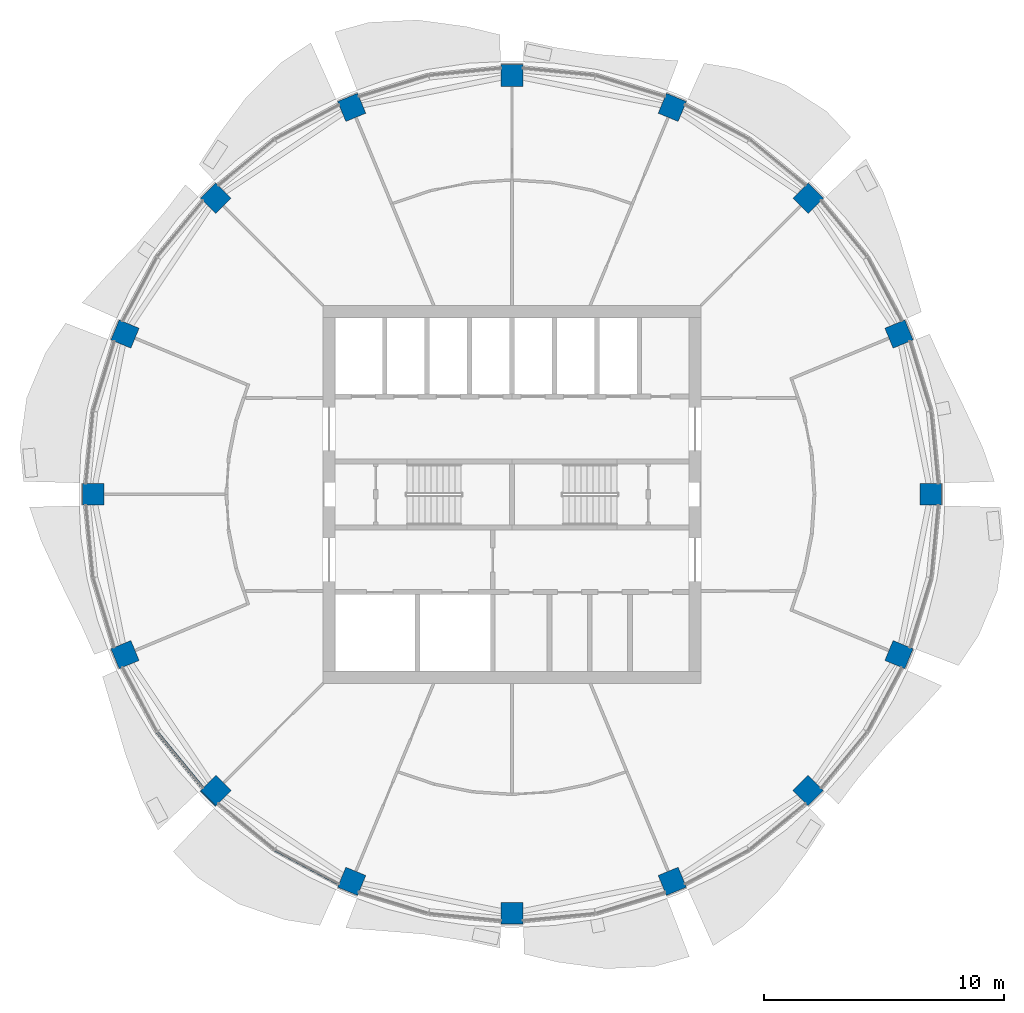
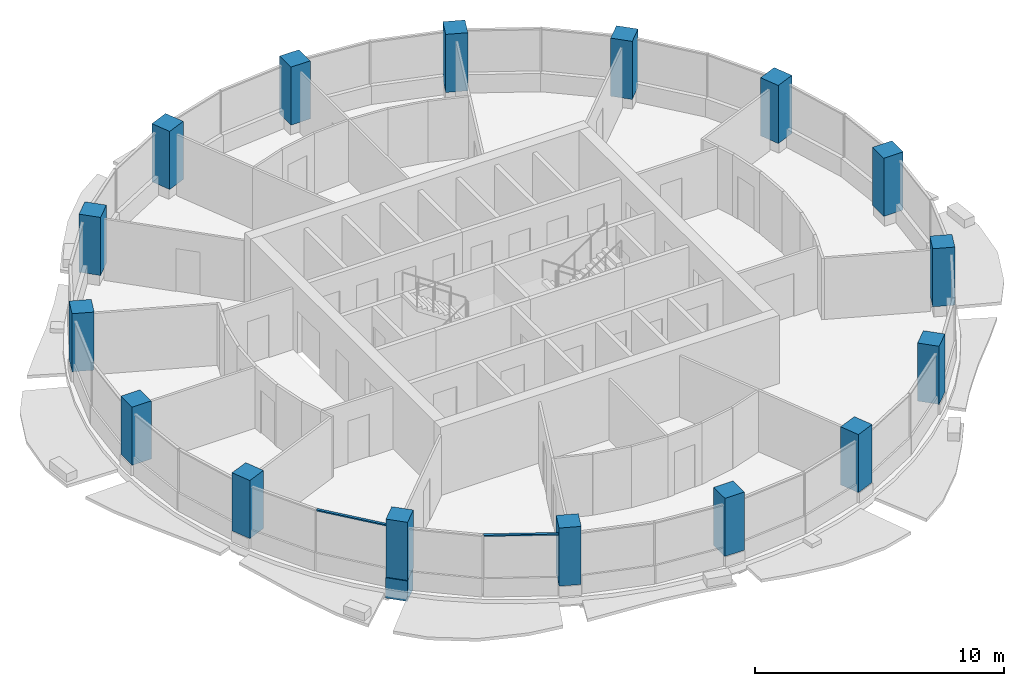
# One storey, part 1 of 15: 16 columns, 3 members, 2 elements without a shape of their own.
"""IFC4 building model written with IfcOpenShell, lengths in metres."""

from ifc_helpers import new_model, si_unit, direction, frame, origin, origin_2d, place, context, subcontext, project, spatial, rectangle, extrude, material, material_profile, profile_set, type_object, element, aggregate, save


model = new_model("IFC4")

# Units and contexts
model_context = context("Model", 3, precision=1e-05, world=origin(), true_north=direction((0.0, 1.0)))
body_context = subcontext(model_context, "Body", "Model", "MODEL_VIEW")
ifc_project = project(units=[si_unit("LENGTHUNIT", "METRE"), si_unit("AREAUNIT", "SQUARE_METRE"), si_unit("VOLUMEUNIT", "CUBIC_METRE"), si_unit("PLANEANGLEUNIT", "RADIAN"), si_unit("MASSUNIT", "GRAM", prefix="KILO")], contexts=[model_context])

# Site, building, storey
site_placement = place(None, origin())
site = spatial("IfcSite", under=ifc_project, at=site_placement, CompositionType="ELEMENT")
building_placement = place(site_placement, origin())
building = spatial("IfcBuilding", under=site, at=building_placement, Name="Polderwave Tower", CompositionType="ELEMENT")
storey_placement = place(building_placement, frame((0.0, 0.0, 187.64990234375)))
storey = spatial("IfcBuildingStorey", under=building, at=storey_placement, Name="L50", CompositionType="ELEMENT", Elevation=187.64990234375)

# Columns
ifc_material_1 = material(Name="Concrete C60/75", Category="concrete")
ifc_material_profile_1 = material_profile(ifc_material_1, rectangle(XDim=0.89990234375, YDim=0.89990234375, at=origin_2d()), Name="RC 900x900")
ifc_profile_set_1 = profile_set([ifc_material_profile_1], Name="Concrete C60/75")
column_type = type_object("IfcColumnType", Name="RC COLUMN 900x900 C60/75", PredefinedType="COLUMN", material=ifc_profile_set_1)
for number, where, z_axis, x_axis, name in (
    (1, (17.449951171875, 0.0, 0.5), (0.0, 0.0, 1.0), (1.0, 0.0, 0.0), "Ring column 01"),
    (2, (16.12158203125, 6.677734375, 0.5), (0.0, 0.0, 1.0), (0.923879532511, 0.382683432365, 0.0), "Ring column 02"),
    (3, (12.339111328125, 12.339111328125, 0.5), (0.0, 0.0, 1.0), (0.707106781187, 0.707106781187, 0.0), "Ring column 03"),
    (4, (6.677734375, 16.12158203125, 0.5), (0.0, 0.0, 1.0), (0.382683432365, 0.923879532511, 0.0), "Ring column 04"),
    (5, (0.0, 17.449951171875, 0.5), (0.0, 0.0, 1.0), (0.0, 1.0, 0.0), "Ring column 05"),
    (6, (-6.677734375, 16.12158203125, 0.5), (0.0, 0.0, 1.0), (-0.382683432365, 0.923879532511, 0.0), "Ring column 06"),
    (7, (-12.339111328125, 12.339111328125, 0.5), (0.0, 0.0, 1.0), (-0.707106781187, 0.707106781187, 0.0), "Ring column 07"),
    (8, (-16.12158203125, 6.677734375, 0.5), (0.0, 0.0, 1.0), (-0.923879532511, 0.382683432365, 0.0), "Ring column 08"),
    (9, (-17.449951171875, 0.0, 0.5), (0.0, 0.0, 1.0), (-1.0, 0.0, 0.0), "Ring column 09"),
    (10, (-16.12158203125, -6.677734375, 0.5), (0.0, 0.0, 1.0), (-0.923879532511, -0.382683432365, 0.0), "Ring column 10"),
    (11, (-12.339111328125, -12.339111328125, 0.5), (0.0, 0.0, 1.0), (-0.707106781187, -0.707106781187, 0.0), "Ring column 11"),
    (12, (-6.677734375, -16.12158203125, 0.5), (0.0, 0.0, 1.0), (-0.382683432365, -0.923879532511, 0.0), "Ring column 12"),
    (13, (0.0, -17.449951171875, 0.5), (0.0, 0.0, 1.0), (0.0, -1.0, 0.0), "Ring column 13"),
    (14, (6.677734375, -16.12158203125, 0.5), (0.0, 0.0, 1.0), (0.382683432365, -0.923879532511, 0.0), "Ring column 14"),
    (15, (12.339111328125, -12.339111328125, 0.5), (0.0, 0.0, 1.0), (0.707106781187, -0.707106781187, 0.0), "Ring column 15"),
    (16, (16.12158203125, -6.677734375, 0.5), (0.0, 0.0, 1.0), (0.923879532511, -0.382683432365, 0.0), "Ring column 16"),
):
    element("IfcColumn", number, at=place(storey_placement, frame(where, z_axis=z_axis, x_axis=x_axis)), inside=storey, type_object=column_type, Name=name, PredefinedType="COLUMN", context=body_context, shape_type="SweptSolid", body=[
        extrude(rectangle(XDim=0.89990234375, YDim=0.89990234375, at=origin_2d()), origin(), (0.0, 0.0, 1.0), 2.85009765625),
    ])

# Curtain wall, member
ifc_material_2 = material(Name="Aluminium 6063-T6 and glass", Category="aluminium")
curtain_wall_type = type_object("IfcCurtainWallType", Name="Office ribbon glazing wall", PredefinedType="NOTDEFINED", material=ifc_material_2)
curtain_wall_1_placement = place(storey_placement, origin())
curtain_wall_1 = element("IfcCurtainWall", 17, at=curtain_wall_1_placement, inside=storey, type_object=curtain_wall_type, Name="CW3 L50 09", PredefinedType="NOTDEFINED")
ifc_material_3 = material(Name="Aluminium 6063-T6", Category="aluminium")
ifc_material_profile_2 = material_profile(ifc_material_3, rectangle(XDim=0.1201171875, YDim=0.06005859375, at=origin_2d()), Name="AL 60x120")
ifc_profile_set_2 = profile_set([ifc_material_profile_2], Name="Aluminium 6063-T6")
member_type_1 = type_object("IfcMemberType", Name="Office ribbon glazing transom 60x120", PredefinedType="USERDEFINED", material=ifc_profile_set_2)
member_1_placement = place(storey_placement, frame((-14.78271484375, -9.910400390625, 2.97021484375), z_axis=(0.634438411451, -0.772973416151, 0.0), x_axis=(0.772973416151, 0.634438411451, 0.0)))
member_1 = element("IfcMember", 18, at=member_1_placement, type_object=member_type_1, Name="CW3 transom 2", ObjectType="TRANSOM", PredefinedType="USERDEFINED", context=body_context, shape_type="SweptSolid", body=[
    extrude(rectangle(XDim=0.1201171875, YDim=0.06005859375, at=origin_2d()), origin(), (0.0, 0.0, 1.0), 3.010009765625),
])
aggregate(curtain_wall_1, [member_1])

curtain_wall_2_placement = place(storey_placement, origin())
curtain_wall_2 = element("IfcCurtainWall", 19, at=curtain_wall_2_placement, inside=storey, type_object=curtain_wall_type, Name="CW3 L50 10", PredefinedType="NOTDEFINED")
member_2_placement = place(storey_placement, frame((-9.86474609375, -14.81298828125, 2.97021484375), z_axis=(0.881858389834, -0.471514347904, 0.0), x_axis=(0.471514347904, 0.881858389834, 0.0)))
member_2 = element("IfcMember", 20, at=member_2_placement, type_object=member_type_1, Name="CW3 transom 2", ObjectType="TRANSOM", PredefinedType="USERDEFINED", context=body_context, shape_type="SweptSolid", body=[
    extrude(rectangle(XDim=0.1201171875, YDim=0.06005859375, at=origin_2d()), origin(), (0.0, 0.0, 1.0), 3.00927734375),
])
aggregate(curtain_wall_2, [member_2])

# Member
ifc_material_profile_3 = material_profile(ifc_material_1, rectangle(XDim=0.89990234375, YDim=0.89990234375, at=origin_2d()), Name="RC 900x900")
ifc_profile_set_3 = profile_set([ifc_material_profile_3], Name="Concrete C60/75")
member_type_2 = type_object("IfcMemberType", Name="RC NODE 900x900 C60/75", PredefinedType="POST", material=ifc_profile_set_3)
member_3_placement = place(storey_placement, frame((-12.369140625, -12.369140625, -0.5), z_axis=(0.0, 0.0, 1.0), x_axis=(-0.707106781187, -0.707106781187, 0.0)))
element("IfcMember", 21, at=member_3_placement, inside=storey, type_object=member_type_2, Name="Ring column node 11", PredefinedType="POST", context=body_context, shape_type="SweptSolid", body=[
    extrude(rectangle(XDim=0.89990234375, YDim=0.89990234375, at=origin_2d()), origin(), (0.0, 0.0, 1.0), 1.0),
])

save(model, "model.ifc")
